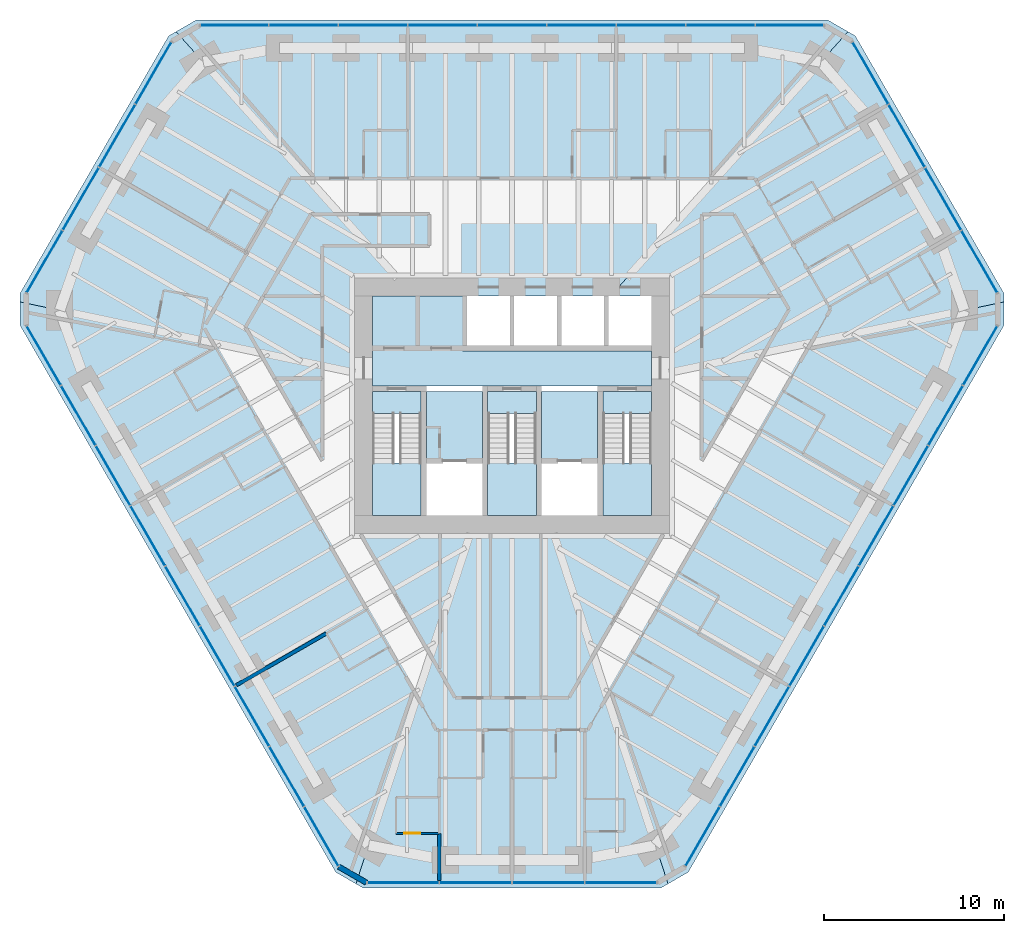
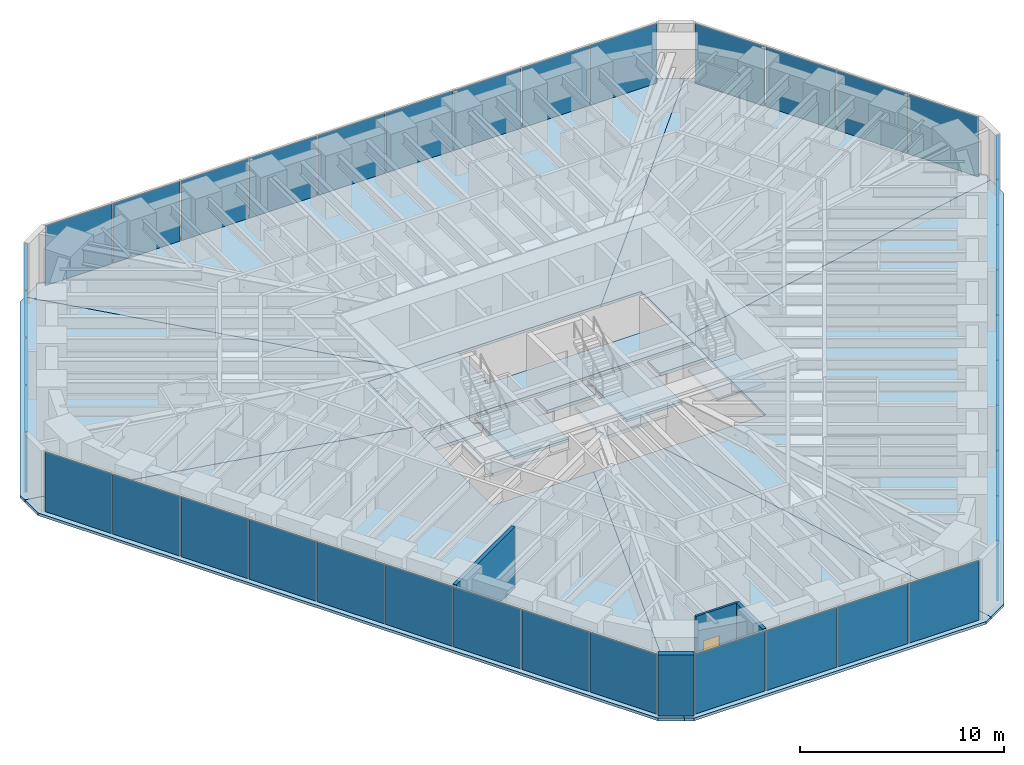
# One storey, part 10 of 17: 39 plates, 15 slabs, 4 walls, 1 door, 1 opening, 9 elements without a shape of their own.
"""IFC4 building model written with IfcOpenShell, lengths in metres."""

from ifc_helpers import new_model, si_unit, direction, frame, frame_2d, origin, origin_2d, place, context, subcontext, project, spatial, polyline, rectangle, outline, extrude, material, layer, layer_set, type_object, element, fill, aggregate, save


model = new_model("IFC4")

# Units and contexts
model_context = context("Model", 3, precision=1e-05, world=origin(), true_north=direction((0.0, 1.0)))
body_context = subcontext(model_context, "Body", "Model", "MODEL_VIEW")
ifc_project = project(units=[si_unit("LENGTHUNIT", "METRE"), si_unit("AREAUNIT", "SQUARE_METRE"), si_unit("VOLUMEUNIT", "CUBIC_METRE"), si_unit("PLANEANGLEUNIT", "RADIAN"), si_unit("MASSUNIT", "GRAM", prefix="KILO")], contexts=[model_context])

# Site, building, storey
site_placement = place(None, origin())
site = spatial("IfcSite", under=ifc_project, at=site_placement, CompositionType="ELEMENT")
building_placement = place(site_placement, origin())
building = spatial("IfcBuilding", under=site, at=building_placement, Name="Sandreach Pilgrim Tower", CompositionType="ELEMENT")
storey_placement = place(building_placement, frame((0.0, 0.0, 221.199951171875)))
storey = spatial("IfcBuildingStorey", under=building, at=storey_placement, Name="L55", CompositionType="ELEMENT", Elevation=221.199951171875)

# Curtain wall, plates
ifc_material_1 = material(Name="Aluminium framed curtain wall", Category="aluminium")
curtain_wall_type = type_object("IfcCurtainWallType", Name="Upper hotel tower curtain wall", PredefinedType="NOTDEFINED", material=ifc_material_1)
curtain_wall_1_placement = place(storey_placement, origin())
curtain_wall_1 = element("IfcCurtainWall", 1, at=curtain_wall_1_placement, inside=storey, type_object=curtain_wall_type, Name="CW-3 L55 N", PredefinedType="NOTDEFINED")
ifc_material_2 = material(Name="Insulating glass unit 12.76 laminated + 20 argon + 12.76 laminated", Category="glass")
ifc_layer_1 = layer(ifc_material_2, 0.0458984375)
ifc_layer_set_1 = layer_set([ifc_layer_1], Name="CW-3 panel")
plate_type = type_object("IfcPlateType", Name="CW-3 panel", PredefinedType="CURTAIN_PANEL", material=ifc_layer_set_1)
plate_1_placement = place(storey_placement, frame((-15.44140625, 21.16015625, 0.0), z_axis=(0.0, 0.0, 1.0), x_axis=(1.0, 0.0, 0.0)))
plate_1 = element("IfcPlate", 2, at=plate_1_placement, type_object=plate_type, Name="CW-3 panel 1", PredefinedType="CURTAIN_PANEL", context=body_context, shape_type="SweptSolid", body=[
    extrude(rectangle(XDim=3.766845703125, YDim=0.0458984375, at=origin_2d()), origin(), (0.0, 0.0, 1.0), 3.570068359375),
])
plate_2_placement = place(storey_placement, frame((-11.59326171875, 21.16015625, 0.0), z_axis=(0.0, 0.0, 1.0), x_axis=(1.0, 0.0, 0.0)))
plate_2 = element("IfcPlate", 3, at=plate_2_placement, type_object=plate_type, Name="CW-3 panel 2", PredefinedType="CURTAIN_PANEL", context=body_context, shape_type="SweptSolid", body=[
    extrude(rectangle(XDim=3.79931640625, YDim=0.0458984375, at=origin_2d()), origin(), (0.0, 0.0, 1.0), 3.570068359375),
])
plate_3_placement = place(storey_placement, frame((-7.728759765625, 21.16015625, 0.0), z_axis=(0.0, 0.0, 1.0), x_axis=(1.0, 0.0, 0.0)))
plate_3 = element("IfcPlate", 4, at=plate_3_placement, type_object=plate_type, Name="CW-3 panel 3", PredefinedType="CURTAIN_PANEL", context=body_context, shape_type="SweptSolid", body=[
    extrude(rectangle(XDim=3.79931640625, YDim=0.0458984375, at=origin_2d()), origin(), (0.0, 0.0, 1.0), 3.570068359375),
])
plate_4_placement = place(storey_placement, frame((-3.864501953125, 21.16015625, 0.0), z_axis=(0.0, 0.0, 1.0), x_axis=(1.0, 0.0, 0.0)))
plate_4 = element("IfcPlate", 5, at=plate_4_placement, type_object=plate_type, Name="CW-3 panel 4", PredefinedType="CURTAIN_PANEL", context=body_context, shape_type="SweptSolid", body=[
    extrude(rectangle(XDim=3.79931640625, YDim=0.0458984375, at=origin_2d()), origin(), (0.0, 0.0, 1.0), 3.570068359375),
])
plate_5_placement = place(storey_placement, frame((0.0, 21.16015625, 0.0), z_axis=(0.0, 0.0, 1.0), x_axis=(1.0, 0.0, 0.0)))
plate_5 = element("IfcPlate", 6, at=plate_5_placement, type_object=plate_type, Name="CW-3 panel 5", PredefinedType="CURTAIN_PANEL", context=body_context, shape_type="SweptSolid", body=[
    extrude(rectangle(XDim=3.79931640625, YDim=0.0458984375, at=origin_2d()), origin(), (0.0, 0.0, 1.0), 3.570068359375),
])
plate_6_placement = place(storey_placement, frame((3.864501953125, 21.16015625, 0.0), z_axis=(0.0, 0.0, 1.0), x_axis=(1.0, 0.0, 0.0)))
plate_6 = element("IfcPlate", 7, at=plate_6_placement, type_object=plate_type, Name="CW-3 panel 6", PredefinedType="CURTAIN_PANEL", context=body_context, shape_type="SweptSolid", body=[
    extrude(rectangle(XDim=3.79931640625, YDim=0.0458984375, at=origin_2d()), origin(), (0.0, 0.0, 1.0), 3.570068359375),
])
plate_7_placement = place(storey_placement, frame((7.728759765625, 21.16015625, 0.0), z_axis=(0.0, 0.0, 1.0), x_axis=(1.0, 0.0, 0.0)))
plate_7 = element("IfcPlate", 8, at=plate_7_placement, type_object=plate_type, Name="CW-3 panel 7", PredefinedType="CURTAIN_PANEL", context=body_context, shape_type="SweptSolid", body=[
    extrude(rectangle(XDim=3.79931640625, YDim=0.0458984375, at=origin_2d()), origin(), (0.0, 0.0, 1.0), 3.570068359375),
])
plate_8_placement = place(storey_placement, frame((11.59326171875, 21.16015625, 0.0), z_axis=(0.0, 0.0, 1.0), x_axis=(1.0, 0.0, 0.0)))
plate_8 = element("IfcPlate", 9, at=plate_8_placement, type_object=plate_type, Name="CW-3 panel 8", PredefinedType="CURTAIN_PANEL", context=body_context, shape_type="SweptSolid", body=[
    extrude(rectangle(XDim=3.79931640625, YDim=0.0458984375, at=origin_2d()), origin(), (0.0, 0.0, 1.0), 3.570068359375),
])
plate_9_placement = place(storey_placement, frame((15.44140625, 21.16015625, 0.0), z_axis=(0.0, 0.0, 1.0), x_axis=(1.0, 0.0, 0.0)))
plate_9 = element("IfcPlate", 10, at=plate_9_placement, type_object=plate_type, Name="CW-3 panel 9", PredefinedType="CURTAIN_PANEL", context=body_context, shape_type="SweptSolid", body=[
    extrude(rectangle(XDim=3.766845703125, YDim=0.0458984375, at=origin_2d()), origin(), (0.0, 0.0, 1.0), 3.570068359375),
])
aggregate(curtain_wall_1, [plate_1, plate_2, plate_3, plate_4, plate_5, plate_6, plate_7, plate_8, plate_9])

curtain_wall_2_placement = place(storey_placement, origin())
curtain_wall_2 = element("IfcCurtainWall", 11, at=curtain_wall_2_placement, inside=storey, type_object=curtain_wall_type, Name="CW-3 L55 NE", PredefinedType="NOTDEFINED")
plate_10_placement = place(storey_placement, frame((19.943115234375, 18.5078125, 0.0), z_axis=(0.0, 0.0, 1.0), x_axis=(0.5, -0.866025403784, 0.0)))
plate_10 = element("IfcPlate", 12, at=plate_10_placement, type_object=plate_type, Name="CW-3 panel 1", PredefinedType="CURTAIN_PANEL", context=body_context, shape_type="SweptSolid", body=[
    extrude(rectangle(XDim=3.951171875, YDim=0.0458984375, at=origin_2d()), origin(), (0.0, 0.0, 1.0), 3.570068359375),
])
plate_11_placement = place(storey_placement, frame((21.959228515625, 15.015625, 0.0), z_axis=(0.0, 0.0, 1.0), x_axis=(0.5, -0.866025403784, 0.0)))
plate_11 = element("IfcPlate", 13, at=plate_11_placement, type_object=plate_type, Name="CW-3 panel 2", PredefinedType="CURTAIN_PANEL", context=body_context, shape_type="SweptSolid", body=[
    extrude(rectangle(XDim=3.983642578125, YDim=0.0458984375, at=origin_2d()), origin(), (0.0, 0.0, 1.0), 3.570068359375),
])
plate_12_placement = place(storey_placement, frame((23.983642578125, 11.509521484375, 0.0), z_axis=(0.0, 0.0, 1.0), x_axis=(0.5, -0.866025403784, 0.0)))
plate_12 = element("IfcPlate", 14, at=plate_12_placement, type_object=plate_type, Name="CW-3 panel 3", PredefinedType="CURTAIN_PANEL", context=body_context, shape_type="SweptSolid", body=[
    extrude(rectangle(XDim=3.983642578125, YDim=0.0458984375, at=origin_2d()), origin(), (0.0, 0.0, 1.0), 3.570068359375),
])
plate_13_placement = place(storey_placement, frame((25.999755859375, 8.017333984375, 0.0), z_axis=(0.0, 0.0, 1.0), x_axis=(0.5, -0.866025403784, 0.0)))
plate_13 = element("IfcPlate", 15, at=plate_13_placement, type_object=plate_type, Name="CW-3 panel 4", PredefinedType="CURTAIN_PANEL", context=body_context, shape_type="SweptSolid", body=[
    extrude(rectangle(XDim=3.951171875, YDim=0.0458984375, at=origin_2d()), origin(), (0.0, 0.0, 1.0), 3.570068359375),
])
aggregate(curtain_wall_2, [plate_10, plate_11, plate_12, plate_13])

curtain_wall_3_placement = place(storey_placement, origin())
curtain_wall_3 = element("IfcCurtainWall", 16, at=curtain_wall_3_placement, inside=storey, type_object=curtain_wall_type, Name="CW-3 L55 SE", PredefinedType="NOTDEFINED")
plate_14_placement = place(storey_placement, frame((26.0458984375, 2.792724609375, 0.0), z_axis=(0.0, 0.0, 1.0), x_axis=(-0.5, -0.866025403784, 0.0)))
plate_14 = element("IfcPlate", 17, at=plate_14_placement, type_object=plate_type, Name="CW-3 panel 1", PredefinedType="CURTAIN_PANEL", context=body_context, shape_type="SweptSolid", body=[
    extrude(rectangle(XDim=3.766845703125, YDim=0.0458984375, at=origin_2d()), origin(), (0.0, 0.0, 1.0), 3.570068359375),
])
plate_15_placement = place(storey_placement, frame((24.121826171875, -0.5400390625, 0.0), z_axis=(0.0, 0.0, 1.0), x_axis=(-0.5, -0.866025403784, 0.0)))
plate_15 = element("IfcPlate", 18, at=plate_15_placement, type_object=plate_type, Name="CW-3 panel 2", PredefinedType="CURTAIN_PANEL", context=body_context, shape_type="SweptSolid", body=[
    extrude(rectangle(XDim=3.79931640625, YDim=0.0458984375, at=origin_2d()), origin(), (0.0, 0.0, 1.0), 3.570068359375),
])
plate_16_placement = place(storey_placement, frame((22.189697265625, -3.88671875, 0.0), z_axis=(0.0, 0.0, 1.0), x_axis=(-0.5, -0.866025403784, 0.0)))
plate_16 = element("IfcPlate", 19, at=plate_16_placement, type_object=plate_type, Name="CW-3 panel 3", PredefinedType="CURTAIN_PANEL", context=body_context, shape_type="SweptSolid", body=[
    extrude(rectangle(XDim=3.79931640625, YDim=0.0458984375, at=origin_2d()), origin(), (0.0, 0.0, 1.0), 3.570068359375),
])
plate_17_placement = place(storey_placement, frame((20.25732421875, -7.2333984375, 0.0), z_axis=(0.0, 0.0, 1.0), x_axis=(-0.5, -0.866025403784, 0.0)))
plate_17 = element("IfcPlate", 20, at=plate_17_placement, type_object=plate_type, Name="CW-3 panel 4", PredefinedType="CURTAIN_PANEL", context=body_context, shape_type="SweptSolid", body=[
    extrude(rectangle(XDim=3.79931640625, YDim=0.0458984375, at=origin_2d()), origin(), (0.0, 0.0, 1.0), 3.570068359375),
])
plate_18_placement = place(storey_placement, frame((18.3251953125, -10.580078125, 0.0), z_axis=(0.0, 0.0, 1.0), x_axis=(-0.5, -0.866025403784, 0.0)))
plate_18 = element("IfcPlate", 21, at=plate_18_placement, type_object=plate_type, Name="CW-3 panel 5", PredefinedType="CURTAIN_PANEL", context=body_context, shape_type="SweptSolid", body=[
    extrude(rectangle(XDim=3.79931640625, YDim=0.0458984375, at=origin_2d()), origin(), (0.0, 0.0, 1.0), 3.570068359375),
])
plate_19_placement = place(storey_placement, frame((16.39306640625, -13.9267578125, 0.0), z_axis=(0.0, 0.0, 1.0), x_axis=(-0.5, -0.866025403784, 0.0)))
plate_19 = element("IfcPlate", 22, at=plate_19_placement, type_object=plate_type, Name="CW-3 panel 6", PredefinedType="CURTAIN_PANEL", context=body_context, shape_type="SweptSolid", body=[
    extrude(rectangle(XDim=3.79931640625, YDim=0.0458984375, at=origin_2d()), origin(), (0.0, 0.0, 1.0), 3.570068359375),
])
plate_20_placement = place(storey_placement, frame((14.460693359375, -17.2734375, 0.0), z_axis=(0.0, 0.0, 1.0), x_axis=(-0.5, -0.866025403784, 0.0)))
plate_20 = element("IfcPlate", 23, at=plate_20_placement, type_object=plate_type, Name="CW-3 panel 7", PredefinedType="CURTAIN_PANEL", context=body_context, shape_type="SweptSolid", body=[
    extrude(rectangle(XDim=3.79931640625, YDim=0.0458984375, at=origin_2d()), origin(), (0.0, 0.0, 1.0), 3.570068359375),
])
plate_21_placement = place(storey_placement, frame((12.528564453125, -20.6201171875, 0.0), z_axis=(0.0, 0.0, 1.0), x_axis=(-0.5, -0.866025403784, 0.0)))
plate_21 = element("IfcPlate", 24, at=plate_21_placement, type_object=plate_type, Name="CW-3 panel 8", PredefinedType="CURTAIN_PANEL", context=body_context, shape_type="SweptSolid", body=[
    extrude(rectangle(XDim=3.79931640625, YDim=0.0458984375, at=origin_2d()), origin(), (0.0, 0.0, 1.0), 3.570068359375),
])
plate_22_placement = place(storey_placement, frame((10.6044921875, -23.95263671875, 0.0), z_axis=(0.0, 0.0, 1.0), x_axis=(-0.5, -0.866025403784, 0.0)))
plate_22 = element("IfcPlate", 25, at=plate_22_placement, type_object=plate_type, Name="CW-3 panel 9", PredefinedType="CURTAIN_PANEL", context=body_context, shape_type="SweptSolid", body=[
    extrude(rectangle(XDim=3.766845703125, YDim=0.0458984375, at=origin_2d()), origin(), (0.0, 0.0, 1.0), 3.570068359375),
])
aggregate(curtain_wall_3, [plate_14, plate_15, plate_16, plate_17, plate_18, plate_19, plate_20, plate_21, plate_22])

curtain_wall_4_placement = place(storey_placement, origin())
curtain_wall_4 = element("IfcCurtainWall", 26, at=curtain_wall_4_placement, inside=storey, type_object=curtain_wall_type, Name="CW-3 L55 S", PredefinedType="NOTDEFINED")
plate_23_placement = place(storey_placement, frame((6.056884765625, -26.525146484375, 0.0), z_axis=(0.0, 0.0, 1.0), x_axis=(-1.0, 0.0, 0.0)))
plate_23 = element("IfcPlate", 27, at=plate_23_placement, type_object=plate_type, Name="CW-3 panel 1", PredefinedType="CURTAIN_PANEL", context=body_context, shape_type="SweptSolid", body=[
    extrude(rectangle(XDim=3.951171875, YDim=0.0458984375, at=origin_2d()), origin(), (0.0, 0.0, 1.0), 3.570068359375),
])
plate_24_placement = place(storey_placement, frame((2.0244140625, -26.525146484375, 0.0), z_axis=(0.0, 0.0, 1.0), x_axis=(-1.0, 0.0, 0.0)))
plate_24 = element("IfcPlate", 28, at=plate_24_placement, type_object=plate_type, Name="CW-3 panel 2", PredefinedType="CURTAIN_PANEL", context=body_context, shape_type="SweptSolid", body=[
    extrude(rectangle(XDim=3.983642578125, YDim=0.0458984375, at=origin_2d()), origin(), (0.0, 0.0, 1.0), 3.570068359375),
])
plate_25_placement = place(storey_placement, frame((-2.0244140625, -26.525146484375, 0.0), z_axis=(0.0, 0.0, 1.0), x_axis=(-1.0, 0.0, 0.0)))
plate_25 = element("IfcPlate", 29, at=plate_25_placement, type_object=plate_type, Name="CW-3 panel 3", PredefinedType="CURTAIN_PANEL", context=body_context, shape_type="SweptSolid", body=[
    extrude(rectangle(XDim=3.983642578125, YDim=0.0458984375, at=origin_2d()), origin(), (0.0, 0.0, 1.0), 3.570068359375),
])
plate_26_placement = place(storey_placement, frame((-6.056884765625, -26.525146484375, 0.0), z_axis=(0.0, 0.0, 1.0), x_axis=(-1.0, 0.0, 0.0)))
plate_26 = element("IfcPlate", 30, at=plate_26_placement, type_object=plate_type, Name="CW-3 panel 4", PredefinedType="CURTAIN_PANEL", context=body_context, shape_type="SweptSolid", body=[
    extrude(rectangle(XDim=3.951171875, YDim=0.0458984375, at=origin_2d()), origin(), (0.0, 0.0, 1.0), 3.570068359375),
])
aggregate(curtain_wall_4, [plate_23, plate_24, plate_25, plate_26])

curtain_wall_5_placement = place(storey_placement, origin())
curtain_wall_5 = element("IfcCurtainWall", 31, at=curtain_wall_5_placement, inside=storey, type_object=curtain_wall_type, Name="CW-3 L55 SW", PredefinedType="NOTDEFINED")
plate_27_placement = place(storey_placement, frame((-10.6044921875, -23.95263671875, 0.0), z_axis=(0.0, 0.0, 1.0), x_axis=(-0.5, 0.866025403784, 0.0)))
plate_27 = element("IfcPlate", 32, at=plate_27_placement, type_object=plate_type, Name="CW-3 panel 1", PredefinedType="CURTAIN_PANEL", context=body_context, shape_type="SweptSolid", body=[
    extrude(rectangle(XDim=3.766845703125, YDim=0.0458984375, at=origin_2d()), origin(), (0.0, 0.0, 1.0), 3.570068359375),
])
plate_28_placement = place(storey_placement, frame((-12.528564453125, -20.6201171875, 0.0), z_axis=(0.0, 0.0, 1.0), x_axis=(-0.5, 0.866025403784, 0.0)))
plate_28 = element("IfcPlate", 33, at=plate_28_placement, type_object=plate_type, Name="CW-3 panel 2", PredefinedType="CURTAIN_PANEL", context=body_context, shape_type="SweptSolid", body=[
    extrude(rectangle(XDim=3.79931640625, YDim=0.0458984375, at=origin_2d()), origin(), (0.0, 0.0, 1.0), 3.570068359375),
])
plate_29_placement = place(storey_placement, frame((-14.460693359375, -17.2734375, 0.0), z_axis=(0.0, 0.0, 1.0), x_axis=(-0.5, 0.866025403784, 0.0)))
plate_29 = element("IfcPlate", 34, at=plate_29_placement, type_object=plate_type, Name="CW-3 panel 3", PredefinedType="CURTAIN_PANEL", context=body_context, shape_type="SweptSolid", body=[
    extrude(rectangle(XDim=3.79931640625, YDim=0.0458984375, at=origin_2d()), origin(), (0.0, 0.0, 1.0), 3.570068359375),
])
plate_30_placement = place(storey_placement, frame((-16.39306640625, -13.9267578125, 0.0), z_axis=(0.0, 0.0, 1.0), x_axis=(-0.5, 0.866025403784, 0.0)))
plate_30 = element("IfcPlate", 35, at=plate_30_placement, type_object=plate_type, Name="CW-3 panel 4", PredefinedType="CURTAIN_PANEL", context=body_context, shape_type="SweptSolid", body=[
    extrude(rectangle(XDim=3.79931640625, YDim=0.0458984375, at=origin_2d()), origin(), (0.0, 0.0, 1.0), 3.570068359375),
])
plate_31_placement = place(storey_placement, frame((-18.3251953125, -10.580078125, 0.0), z_axis=(0.0, 0.0, 1.0), x_axis=(-0.5, 0.866025403784, 0.0)))
plate_31 = element("IfcPlate", 36, at=plate_31_placement, type_object=plate_type, Name="CW-3 panel 5", PredefinedType="CURTAIN_PANEL", context=body_context, shape_type="SweptSolid", body=[
    extrude(rectangle(XDim=3.79931640625, YDim=0.0458984375, at=origin_2d()), origin(), (0.0, 0.0, 1.0), 3.570068359375),
])
plate_32_placement = place(storey_placement, frame((-20.25732421875, -7.2333984375, 0.0), z_axis=(0.0, 0.0, 1.0), x_axis=(-0.5, 0.866025403784, 0.0)))
plate_32 = element("IfcPlate", 37, at=plate_32_placement, type_object=plate_type, Name="CW-3 panel 6", PredefinedType="CURTAIN_PANEL", context=body_context, shape_type="SweptSolid", body=[
    extrude(rectangle(XDim=3.79931640625, YDim=0.0458984375, at=origin_2d()), origin(), (0.0, 0.0, 1.0), 3.570068359375),
])
plate_33_placement = place(storey_placement, frame((-22.189697265625, -3.88671875, 0.0), z_axis=(0.0, 0.0, 1.0), x_axis=(-0.5, 0.866025403784, 0.0)))
plate_33 = element("IfcPlate", 38, at=plate_33_placement, type_object=plate_type, Name="CW-3 panel 7", PredefinedType="CURTAIN_PANEL", context=body_context, shape_type="SweptSolid", body=[
    extrude(rectangle(XDim=3.79931640625, YDim=0.0458984375, at=origin_2d()), origin(), (0.0, 0.0, 1.0), 3.570068359375),
])
plate_34_placement = place(storey_placement, frame((-24.121826171875, -0.5400390625, 0.0), z_axis=(0.0, 0.0, 1.0), x_axis=(-0.5, 0.866025403784, 0.0)))
plate_34 = element("IfcPlate", 39, at=plate_34_placement, type_object=plate_type, Name="CW-3 panel 8", PredefinedType="CURTAIN_PANEL", context=body_context, shape_type="SweptSolid", body=[
    extrude(rectangle(XDim=3.79931640625, YDim=0.0458984375, at=origin_2d()), origin(), (0.0, 0.0, 1.0), 3.570068359375),
])
plate_35_placement = place(storey_placement, frame((-26.0458984375, 2.792724609375, 0.0), z_axis=(0.0, 0.0, 1.0), x_axis=(-0.5, 0.866025403784, 0.0)))
plate_35 = element("IfcPlate", 40, at=plate_35_placement, type_object=plate_type, Name="CW-3 panel 9", PredefinedType="CURTAIN_PANEL", context=body_context, shape_type="SweptSolid", body=[
    extrude(rectangle(XDim=3.766845703125, YDim=0.0458984375, at=origin_2d()), origin(), (0.0, 0.0, 1.0), 3.570068359375),
])
aggregate(curtain_wall_5, [plate_27, plate_28, plate_29, plate_30, plate_31, plate_32, plate_33, plate_34, plate_35])

curtain_wall_6_placement = place(storey_placement, origin())
curtain_wall_6 = element("IfcCurtainWall", 41, at=curtain_wall_6_placement, inside=storey, type_object=curtain_wall_type, Name="CW-3 L55 NW", PredefinedType="NOTDEFINED")
plate_36_placement = place(storey_placement, frame((-25.999755859375, 8.017333984375, 0.0), z_axis=(0.0, 0.0, 1.0), x_axis=(0.5, 0.866025403784, 0.0)))
plate_36 = element("IfcPlate", 42, at=plate_36_placement, type_object=plate_type, Name="CW-3 panel 1", PredefinedType="CURTAIN_PANEL", context=body_context, shape_type="SweptSolid", body=[
    extrude(rectangle(XDim=3.951171875, YDim=0.0458984375, at=origin_2d()), origin(), (0.0, 0.0, 1.0), 3.570068359375),
])
plate_37_placement = place(storey_placement, frame((-23.983642578125, 11.509521484375, 0.0), z_axis=(0.0, 0.0, 1.0), x_axis=(0.5, 0.866025403784, 0.0)))
plate_37 = element("IfcPlate", 43, at=plate_37_placement, type_object=plate_type, Name="CW-3 panel 2", PredefinedType="CURTAIN_PANEL", context=body_context, shape_type="SweptSolid", body=[
    extrude(rectangle(XDim=3.983642578125, YDim=0.0458984375, at=origin_2d()), origin(), (0.0, 0.0, 1.0), 3.570068359375),
])
plate_38_placement = place(storey_placement, frame((-21.959228515625, 15.015625, 0.0), z_axis=(0.0, 0.0, 1.0), x_axis=(0.5, 0.866025403784, 0.0)))
plate_38 = element("IfcPlate", 44, at=plate_38_placement, type_object=plate_type, Name="CW-3 panel 3", PredefinedType="CURTAIN_PANEL", context=body_context, shape_type="SweptSolid", body=[
    extrude(rectangle(XDim=3.983642578125, YDim=0.0458984375, at=origin_2d()), origin(), (0.0, 0.0, 1.0), 3.570068359375),
])
plate_39_placement = place(storey_placement, frame((-19.943115234375, 18.5078125, 0.0), z_axis=(0.0, 0.0, 1.0), x_axis=(0.5, 0.866025403784, 0.0)))
plate_39 = element("IfcPlate", 45, at=plate_39_placement, type_object=plate_type, Name="CW-3 panel 4", PredefinedType="CURTAIN_PANEL", context=body_context, shape_type="SweptSolid", body=[
    extrude(rectangle(XDim=3.951171875, YDim=0.0458984375, at=origin_2d()), origin(), (0.0, 0.0, 1.0), 3.570068359375),
])
aggregate(curtain_wall_6, [plate_36, plate_37, plate_38, plate_39])

# Slabs
ifc_material_3 = material(Name="Concrete 8000 psi", Category="concrete")
ifc_layer_2 = layer(ifc_material_3, 0.159912109375)
ifc_layer_set_2 = layer_set([ifc_layer_2], Name="Composite floor slab 160")
slab_type_1 = type_object("IfcSlabType", Name="Composite floor slab 160", PredefinedType="FLOOR", material=ifc_layer_set_2)
slab_1_placement = place(storey_placement, frame((0.0, 0.0, -0.159912109375)))
element("IfcSlab", 46, at=slab_1_placement, inside=storey, type_object=slab_type_1, Name="Floor slab L55 N sector", PredefinedType="FLOOR", context=body_context, shape_type="SweptSolid", body=[
    extrude(outline(polyline([(-17.56298828125, 21.460205078125), (17.56298828125, 21.460205078125), (18.68701171875, 20.81103515625), (5.477294921875, 6.10009765625), (-5.477294921875, 6.10009765625), (-18.68701171875, 20.81103515625), (-17.56298828125, 21.460205078125)])), origin(), (0.0, 0.0, 1.0), 0.159912109375),
])
slab_2_placement = place(storey_placement, frame((0.0, 0.0, -0.159912109375)))
element("IfcSlab", 47, at=slab_2_placement, inside=storey, type_object=slab_type_1, Name="Floor slab L55 NE sector", PredefinedType="FLOOR", context=body_context, shape_type="SweptSolid", body=[
    extrude(outline(polyline([(19.095947265625, 20.5751953125), (27.366455078125, 6.25), (27.366455078125, 5.778076171875), (7.75, 1.63623046875), (7.75, 6.10009765625), (5.477294921875, 6.10009765625), (18.68701171875, 20.81103515625), (19.095947265625, 20.5751953125)])), origin(), (0.0, 0.0, 1.0), 0.159912109375),
])
slab_3_placement = place(storey_placement, frame((0.0, 0.0, -0.159912109375)))
element("IfcSlab", 48, at=slab_3_placement, inside=storey, type_object=slab_type_1, Name="Floor slab L55 SE sector", PredefinedType="FLOOR", context=body_context, shape_type="SweptSolid", body=[
    extrude(outline(polyline([(27.366455078125, 4.47998046875), (9.803466796875, -25.940185546875), (8.679443359375, -26.589111328125), (1.9912109375, -6.10009765625), (7.75, -6.10009765625), (7.75, 1.63623046875), (27.366455078125, 5.778076171875), (27.366455078125, 4.47998046875)])), origin(), (0.0, 0.0, 1.0), 0.159912109375),
])
slab_4_placement = place(storey_placement, frame((0.0, 0.0, -0.159912109375)))
element("IfcSlab", 49, at=slab_4_placement, inside=storey, type_object=slab_type_1, Name="Floor slab L55 S sector", PredefinedType="FLOOR", context=body_context, shape_type="SweptSolid", body=[
    extrude(outline(polyline([(8.2705078125, -26.8251953125), (-8.2705078125, -26.8251953125), (-8.679443359375, -26.589111328125), (-1.9912109375, -6.10009765625), (1.9912109375, -6.10009765625), (8.679443359375, -26.589111328125), (8.2705078125, -26.8251953125)])), origin(), (0.0, 0.0, 1.0), 0.159912109375),
])
slab_5_placement = place(storey_placement, frame((0.0, 0.0, -0.159912109375)))
element("IfcSlab", 50, at=slab_5_placement, inside=storey, type_object=slab_type_1, Name="Floor slab L55 SW sector", PredefinedType="FLOOR", context=body_context, shape_type="SweptSolid", body=[
    extrude(outline(polyline([(-9.803466796875, -25.940185546875), (-27.366455078125, 4.47998046875), (-27.366455078125, 5.778076171875), (-7.75, 1.63623046875), (-7.75, -6.10009765625), (-1.9912109375, -6.10009765625), (-8.679443359375, -26.589111328125), (-9.803466796875, -25.940185546875)])), origin(), (0.0, 0.0, 1.0), 0.159912109375),
])
slab_6_placement = place(storey_placement, frame((0.0, 0.0, -0.159912109375)))
element("IfcSlab", 51, at=slab_6_placement, inside=storey, type_object=slab_type_1, Name="Floor slab L55 NW sector", PredefinedType="FLOOR", context=body_context, shape_type="SweptSolid", body=[
    extrude(outline(polyline([(-27.366455078125, 6.25), (-19.095947265625, 20.5751953125), (-18.68701171875, 20.81103515625), (-5.477294921875, 6.10009765625), (-7.75, 6.10009765625), (-7.75, 1.63623046875), (-27.366455078125, 5.778076171875), (-27.366455078125, 6.25)])), origin(), (0.0, 0.0, 1.0), 0.159912109375),
])
slab_7_placement = place(storey_placement, frame((0.0, 0.0, -0.159912109375)))
element("IfcSlab", 52, at=slab_7_placement, inside=storey, type_object=slab_type_1, Name="Core floor slab L55", PredefinedType="FLOOR", context=body_context, shape_type="SweptSolid", body=[
    extrude(outline(polyline([(-2.75, 3.35009765625), (-2.75, 3.050048828125), (-0.125, 3.050048828125), (0.125, 3.050048828125), (2.5, 3.050048828125), (2.75, 3.050048828125), (5.125, 3.050048828125), (5.375, 3.050048828125), (7.75, 3.050048828125), (7.75, 1.10009765625), (5.050048828125, 1.10009765625), (4.75, 1.10009765625), (1.64990234375, 1.10009765625), (1.35009765625, 1.10009765625), (-1.35009765625, 1.10009765625), (-1.64990234375, 1.10009765625), (-4.75, 1.10009765625), (-5.050048828125, 1.10009765625), (-7.75, 1.10009765625), (-7.75, 6.10009765625), (-2.64990234375, 6.10009765625), (-2.64990234375, 3.35009765625), (-2.75, 3.35009765625)])), origin(), (0.0, 0.0, 1.0), 0.159912109375),
])
slab_8_placement = place(storey_placement, frame((0.0, 0.0, -0.159912109375)))
element("IfcSlab", 53, at=slab_8_placement, inside=storey, type_object=slab_type_1, Name="Core floor slab L55 2", PredefinedType="FLOOR", context=body_context, shape_type="SweptSolid", body=[
    extrude(outline(polyline([(-1.64990234375, -3.050048828125), (-4.75, -3.050048828125), (-4.75, 0.800048828125), (-1.64990234375, 0.800048828125), (-1.64990234375, -3.050048828125)])), origin(), (0.0, 0.0, 1.0), 0.159912109375),
])
slab_9_placement = place(storey_placement, frame((0.0, 0.0, -0.159912109375)))
element("IfcSlab", 54, at=slab_9_placement, inside=storey, type_object=slab_type_1, Name="Core floor slab L55 3", PredefinedType="FLOOR", context=body_context, shape_type="SweptSolid", body=[
    extrude(outline(polyline([(4.75, -3.050048828125), (1.64990234375, -3.050048828125), (1.64990234375, 0.800048828125), (4.75, 0.800048828125), (4.75, -3.050048828125)])), origin(), (0.0, 0.0, 1.0), 0.159912109375),
])

# Stair, slabs
ifc_material_4 = material(Name="Concrete 8000 psi", Category="concrete")
stair_type = type_object("IfcStairType", Name="Core exit stair", PredefinedType="HALF_TURN_STAIR", material=ifc_material_4)
stair_1_placement = place(storey_placement, origin())
stair_1 = element("IfcStair", 55, at=stair_1_placement, inside=storey, type_object=stair_type, Name="Exit stair ST1 L55", PredefinedType="HALF_TURN_STAIR")
ifc_material_5 = material(Name="Concrete 8000 psi", Category="concrete")
ifc_layer_3 = layer(ifc_material_5, 0.199951171875)
ifc_layer_set_3 = layer_set([ifc_layer_3], Name="Core stair landing 200")
slab_type_2 = type_object("IfcSlabType", Name="Core stair landing 200", PredefinedType="LANDING", material=ifc_layer_set_3)
slab_10_placement = place(storey_placement, frame((0.0, 0.0, -0.199951171875)))
slab_10 = element("IfcSlab", 56, at=slab_10_placement, type_object=slab_type_2, Name="ST1 landing 1", PredefinedType="LANDING", context=body_context, shape_type="SweptSolid", body=[
    extrude(outline(polyline([(-7.75, -0.425048828125), (-5.050048828125, -0.425048828125), (-5.050048828125, 0.800048828125), (-7.75, 0.800048828125), (-7.75, -0.425048828125)])), origin(), (0.0, 0.0, 1.0), 0.199951171875),
])
slab_11_placement = place(storey_placement, frame((0.0, 0.0, 1.699951171875)))
slab_11 = element("IfcSlab", 57, at=slab_11_placement, type_object=slab_type_2, Name="ST1 landing 2", PredefinedType="LANDING", context=body_context, shape_type="SweptSolid", body=[
    extrude(outline(polyline([(-7.75, -6.10009765625), (-5.050048828125, -6.10009765625), (-5.050048828125, -3.175048828125), (-7.75, -3.175048828125), (-7.75, -6.10009765625)])), origin(), (0.0, 0.0, 1.0), 0.2001953125),
])
aggregate(stair_1, [slab_10, slab_11])

stair_2_placement = place(storey_placement, origin())
stair_2 = element("IfcStair", 58, at=stair_2_placement, inside=storey, type_object=stair_type, Name="Exit stair ST3 L55", PredefinedType="HALF_TURN_STAIR")
slab_12_placement = place(storey_placement, frame((0.0, 0.0, -0.199951171875)))
slab_12 = element("IfcSlab", 59, at=slab_12_placement, type_object=slab_type_2, Name="ST3 landing 1", PredefinedType="LANDING", context=body_context, shape_type="SweptSolid", body=[
    extrude(outline(polyline([(-1.35009765625, -0.425048828125), (1.35009765625, -0.425048828125), (1.35009765625, 0.800048828125), (-1.35009765625, 0.800048828125), (-1.35009765625, -0.425048828125)])), origin(), (0.0, 0.0, 1.0), 0.199951171875),
])
slab_13_placement = place(storey_placement, frame((0.0, 0.0, 1.699951171875)))
slab_13 = element("IfcSlab", 60, at=slab_13_placement, type_object=slab_type_2, Name="ST3 landing 2", PredefinedType="LANDING", context=body_context, shape_type="SweptSolid", body=[
    extrude(outline(polyline([(-1.35009765625, -6.10009765625), (1.35009765625, -6.10009765625), (1.35009765625, -3.175048828125), (-1.35009765625, -3.175048828125), (-1.35009765625, -6.10009765625)])), origin(), (0.0, 0.0, 1.0), 0.2001953125),
])
aggregate(stair_2, [slab_12, slab_13])

stair_3_placement = place(storey_placement, origin())
stair_3 = element("IfcStair", 61, at=stair_3_placement, inside=storey, type_object=stair_type, Name="Exit stair ST2 L55", PredefinedType="HALF_TURN_STAIR")
slab_14_placement = place(storey_placement, frame((0.0, 0.0, -0.199951171875)))
slab_14 = element("IfcSlab", 62, at=slab_14_placement, type_object=slab_type_2, Name="ST2 landing 1", PredefinedType="LANDING", context=body_context, shape_type="SweptSolid", body=[
    extrude(outline(polyline([(5.050048828125, -0.425048828125), (7.75, -0.425048828125), (7.75, 0.800048828125), (5.050048828125, 0.800048828125), (5.050048828125, -0.425048828125)])), origin(), (0.0, 0.0, 1.0), 0.199951171875),
])
slab_15_placement = place(storey_placement, frame((0.0, 0.0, 1.699951171875)))
slab_15 = element("IfcSlab", 63, at=slab_15_placement, type_object=slab_type_2, Name="ST2 landing 2", PredefinedType="LANDING", context=body_context, shape_type="SweptSolid", body=[
    extrude(outline(polyline([(5.050048828125, -6.10009765625), (7.75, -6.10009765625), (7.75, -3.175048828125), (5.050048828125, -3.175048828125), (5.050048828125, -6.10009765625)])), origin(), (0.0, 0.0, 1.0), 0.2001953125),
])
aggregate(stair_3, [slab_14, slab_15])

# Wall, opening, door
ifc_material_6 = material(Name="Moisture-resistant gypsum board on steel studs", Category="steel")
ifc_layer_4 = layer(ifc_material_6, 0.1201171875)
ifc_layer_set_4 = layer_set([ifc_layer_4], Name="Bathroom partition 120")
wall_type_1 = type_object("IfcWallType", Name="Bathroom partition 120", PredefinedType="PARTITIONING", material=ifc_layer_set_4)
wall_1_placement = place(storey_placement, frame((-6.449951171875, -23.780029296875, 0.0), z_axis=(0.0, 0.0, 1.0), x_axis=(1.0, 0.0, 0.0)))
wall_1 = element("IfcWall", 64, at=wall_1_placement, inside=storey, type_object=wall_type_1, Name="Bathroom partition L55-048", PredefinedType="PARTITIONING", context=body_context, shape_type="SweptSolid", body=[
    extrude(rectangle(XDim=2.39990234375, YDim=0.1201171875, at=frame_2d((1.199951171875, 0.0))), origin(), (0.0, 0.0, 1.0), 3.64013671875),
])
opening_placement = place(wall_1_placement, frame((0.449951171875, 0.0, 0.0)))
opening = element("IfcOpeningElement", 65, at=opening_placement, cuts=wall_1, Name="Opening D09-14B", PredefinedType="OPENING", context=body_context, shape_type="SweptSolid", body=[
    extrude(rectangle(XDim=0.89990234375, YDim=2.030029296875, at=frame_2d((0.449951171875, 1.01513671875))), frame((0.0, 0.06005859375, 0.0), z_axis=(0.0, -1.0, 0.0), x_axis=(1.0, 0.0, 0.0)), (0.0, 0.0, 1.0), 0.1201171875),
])
ifc_material_7 = material(Name="Timber door, steel frame", Category="steel")
door_type = type_object("IfcDoorType", Name="Bathroom door", OperationType="SINGLE_SWING_LEFT", PredefinedType="DOOR", material=ifc_material_7)
door_placement = place(opening_placement, origin())
door = element("IfcDoor", 66, at=door_placement, inside=storey, type_object=door_type, Name="Door 5514B", OperationType="SINGLE_SWING_LEFT", OverallHeight=2.030029296875, OverallWidth=0.89990234375, PredefinedType="DOOR", context=body_context, shape_type="SweptSolid", body=[
    extrude(rectangle(XDim=0.89990234375, YDim=2.030029296875, at=frame_2d((0.449951171875, 1.01513671875))), frame((0.0, 0.02490234375, 0.0), z_axis=(0.0, -1.0, 0.0), x_axis=(1.0, 0.0, 0.0)), (0.0, 0.0, 1.0), 0.050048828125),
])
fill(opening, door)

# Walls
ifc_material_8 = material(Name="Double steel stud acoustic wall, gypsum board", Category="steel")
ifc_layer_5 = layer(ifc_material_8, 0.199951171875)
ifc_layer_set_5 = layer_set([ifc_layer_5], Name="Party wall 200")
wall_type_2 = type_object("IfcWallType", Name="Party wall 200", PredefinedType="PARTITIONING", material=ifc_layer_set_5)
wall_2_placement = place(storey_placement, frame((-15.325927734375, -15.5400390625, 0.0), z_axis=(0.0, 0.0, 1.0), x_axis=(0.866342721203, 0.499449986905, 0.0)))
element("IfcWall", 67, at=wall_2_placement, inside=storey, type_object=wall_type_2, Name="Party wall L55-018", PredefinedType="PARTITIONING", context=body_context, shape_type="SweptSolid", body=[
    extrude(rectangle(XDim=5.7666015625, YDim=0.199951171875, at=frame_2d((2.88330078125, 0.0))), origin(), (0.0, 0.0, 1.0), 3.64013671875),
])
wall_3_placement = place(storey_placement, frame((-4.050048828125, -26.409912109375, 0.0), z_axis=(0.0, 0.0, 1.0), x_axis=(0.0, 1.0, 0.0)))
element("IfcWall", 68, at=wall_3_placement, inside=storey, type_object=wall_type_2, Name="Party wall L55-058", PredefinedType="PARTITIONING", context=body_context, shape_type="SweptSolid", body=[
    extrude(rectangle(XDim=2.6298828125, YDim=0.199951171875, at=frame_2d((1.31494140625, 0.0))), origin(), (0.0, 0.0, 1.0), 3.64013671875),
])
ifc_material_9 = material(Name="Terracotta rainscreen on concrete", Category="masonry")
ifc_layer_6 = layer(ifc_material_9, 0.300048828125)
ifc_layer_set_6 = layer_set([ifc_layer_6], Name="Terracotta chamfer pier")
wall_type_3 = type_object("IfcWallType", Name="Terracotta chamfer pier", PredefinedType="SOLIDWALL", material=ifc_layer_set_6)
wall_4_placement = place(storey_placement, frame((-8.097412109375, -26.525146484375, 0.0), z_axis=(0.0, 0.0, 1.0), x_axis=(-0.866036293601, 0.499981137809, 0.0)))
element("IfcWall", 69, at=wall_4_placement, inside=storey, type_object=wall_type_3, Name="Chamfer pier L55 S", PredefinedType="SOLIDWALL", context=body_context, shape_type="SweptSolid", body=[
    extrude(rectangle(XDim=1.77001953125, YDim=0.300048828125, at=frame_2d((0.885009765625, 0.0))), origin(), (0.0, 0.0, 1.0), 3.64013671875),
])

save(model, "model.ifc")
